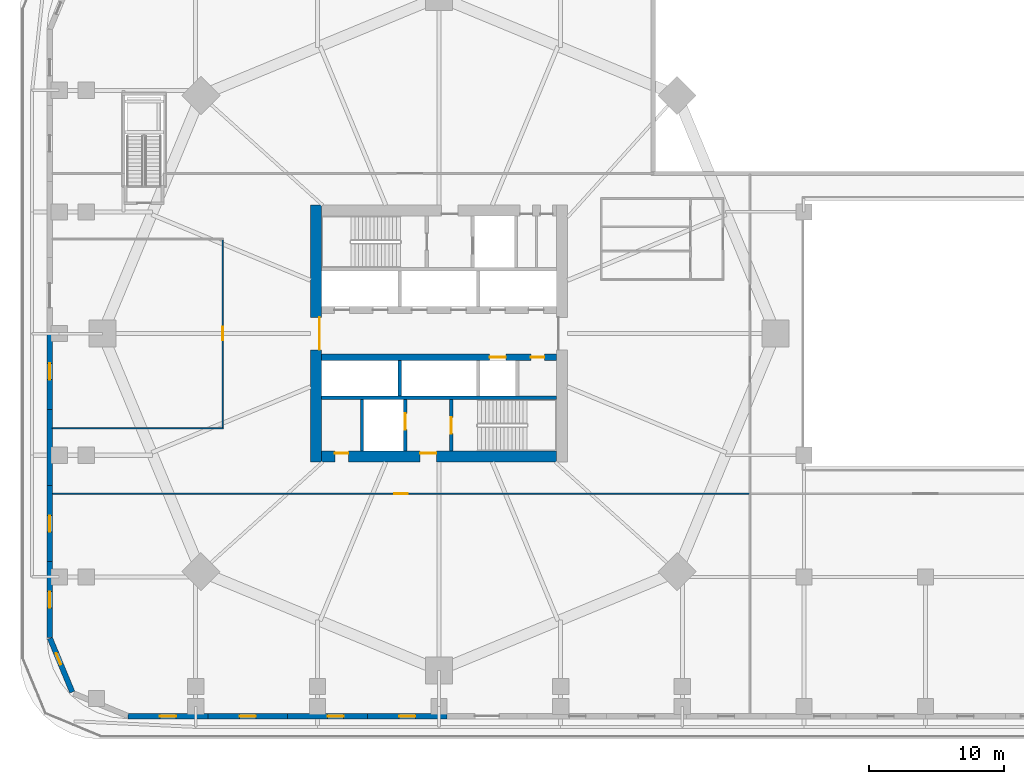
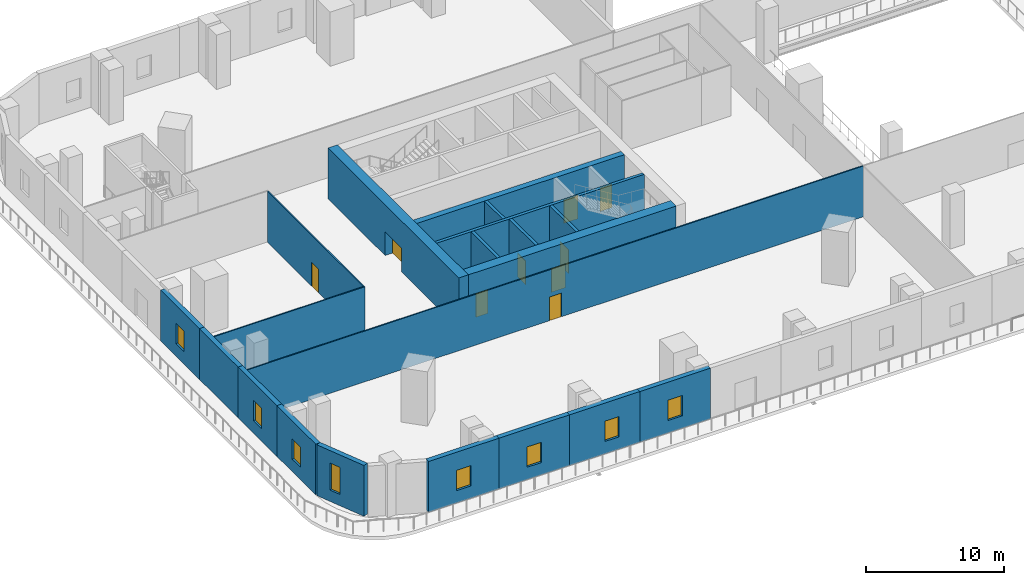
# One storey, part 4 of 17: 20 walls, 9 doors, 8 windows, 17 openings.
"""IFC4 building model written with IfcOpenShell, lengths in metres."""

from ifc_helpers import new_model, si_unit, direction, frame, frame_2d, origin, place, context, subcontext, project, spatial, rectangle, extrude, material, layer, layer_set, type_object, element, fill, save


model = new_model("IFC4")

# Units and contexts
model_context = context("Model", 3, precision=1e-05, world=origin(), true_north=direction((0.0, 1.0)))
body_context = subcontext(model_context, "Body", "Model", "MODEL_VIEW")
ifc_project = project(units=[si_unit("LENGTHUNIT", "METRE"), si_unit("AREAUNIT", "SQUARE_METRE"), si_unit("VOLUMEUNIT", "CUBIC_METRE"), si_unit("PLANEANGLEUNIT", "RADIAN"), si_unit("MASSUNIT", "GRAM", prefix="KILO")], contexts=[model_context])

# Site, building, storey
site_placement = place(None, origin())
site = spatial("IfcSite", under=ifc_project, at=site_placement, CompositionType="ELEMENT")
building_placement = place(site_placement, origin())
building = spatial("IfcBuilding", under=site, at=building_placement, Name="Ogive Gate Towers", CompositionType="ELEMENT")
storey_placement = place(building_placement, frame((0.0, 0.0, 18.0)))
storey = spatial("IfcBuildingStorey", under=building, at=storey_placement, Name="L03", CompositionType="ELEMENT", Elevation=18.0)

# Wall, openings, doors
ifc_material_1 = material(Name="Concrete C60/75", Category="concrete")
ifc_layer_1 = layer(ifc_material_1, 0.800048828125)
ifc_layer_set_1 = layer_set([ifc_layer_1], Name="Core wall 800 mm")
wall_type_1 = type_object("IfcWallType", Name="Core wall 800 mm", PredefinedType="SHEAR", material=ifc_layer_set_1)
wall_1_placement = place(storey_placement, frame((-44.699951171875, -9.10009765625, 0.0), z_axis=(0.0, 0.0, 1.0), x_axis=(1.0, 0.0, 0.0)))
wall_1 = element("IfcWall", 1, at=wall_1_placement, inside=storey, type_object=wall_type_1, Name="T1 L03 Core wall 800 mm", PredefinedType="SHEAR", context=body_context, shape_type="SweptSolid", body=[
    extrude(rectangle(XDim=17.39990234375, YDim=0.800048828125, at=frame_2d((8.699951171875, 0.0))), origin(), (0.0, 0.0, 1.0), 4.5),
])
opening_1_placement = place(wall_1_placement, frame((7.300048828125, 0.0, 0.0)))
opening_1 = element("IfcOpeningElement", 2, at=opening_1_placement, cuts=wall_1, Name="Opening KD-T1-L03-16", PredefinedType="OPENING", context=body_context, shape_type="SweptSolid", body=[
    extrude(rectangle(XDim=1.199951171875, YDim=2.10009765625, at=frame_2d((0.60009765625, 1.050048828125))), frame((0.0, 0.41015625, 0.0), z_axis=(0.0, -1.0, 0.0), x_axis=(1.0, 0.0, 0.0)), (0.0, 0.0, 1.0), 0.820068359375),
])
opening_2_placement = place(wall_1_placement, frame((1.0, 0.0, 0.0)))
opening_2 = element("IfcOpeningElement", 3, at=opening_2_placement, cuts=wall_1, Name="Opening KD-T1-L03-19", PredefinedType="OPENING", context=body_context, shape_type="SweptSolid", body=[
    extrude(rectangle(XDim=1.0, YDim=2.10009765625, at=frame_2d((0.5, 1.050048828125))), frame((0.0, 0.41015625, 0.0), z_axis=(0.0, -1.0, 0.0), x_axis=(1.0, 0.0, 0.0)), (0.0, 0.0, 1.0), 0.820068359375),
])
ifc_material_2 = material(Name="Timber door", Category="wood")
door_type_1 = type_object("IfcDoorType", Name="Accessible WC door 1000 x 2100", OperationType="NOTDEFINED", PredefinedType="DOOR", material=ifc_material_2)
door_1_placement = place(opening_2_placement, origin())
door_1 = element("IfcDoor", 4, at=door_1_placement, inside=storey, type_object=door_type_1, Name="T1 L03 Core door", OperationType="SINGLE_SWING_RIGHT", OverallHeight=2.10009765625, OverallWidth=1.0, PredefinedType="DOOR", context=body_context, shape_type="SweptSolid", body=[
    extrude(rectangle(XDim=1.0, YDim=2.10009765625, at=frame_2d((0.5, 1.050048828125))), frame((0.0, 0.27490234375, 0.0), z_axis=(0.0, -1.0, 0.0), x_axis=(1.0, 0.0, 0.0)), (0.0, 0.0, 1.0), 0.050048828125),
])
fill(opening_2, door_1)
ifc_material_3 = material(Name="Steel fire door", Category="steel")
door_type_2 = type_object("IfcDoorType", Name="Core door FD60S 1200 x 2100", OperationType="NOTDEFINED", PredefinedType="DOOR", material=ifc_material_3)
door_2_placement = place(opening_1_placement, origin())
door_2 = element("IfcDoor", 5, at=door_2_placement, inside=storey, type_object=door_type_2, Name="T1 L03 Fire-fighting lobby door", OperationType="SINGLE_SWING_LEFT", OverallHeight=2.10009765625, OverallWidth=1.199951171875, PredefinedType="DOOR", context=body_context, shape_type="SweptSolid", body=[
    extrude(rectangle(XDim=1.199951171875, YDim=2.10009765625, at=frame_2d((0.60009765625, 1.050048828125))), frame((0.0, 0.27490234375, 0.0), z_axis=(0.0, -1.0, 0.0), x_axis=(1.0, 0.0, 0.0)), (0.0, 0.0, 1.0), 0.050048828125),
])
fill(opening_1, door_2)

# Wall, opening, door
wall_2_placement = place(storey_placement, frame((-45.10009765625, -9.5, 0.0), z_axis=(0.0, 0.0, 1.0), x_axis=(0.0, 1.0, 0.0)))
wall_2 = element("IfcWall", 6, at=wall_2_placement, inside=storey, type_object=wall_type_1, Name="T1 L03 Core wall 800 mm", PredefinedType="SHEAR", context=body_context, shape_type="SweptSolid", body=[
    extrude(rectangle(XDim=19.0, YDim=0.800048828125, at=frame_2d((9.5, 0.0))), origin(), (0.0, 0.0, 1.0), 4.5),
])
opening_3_placement = place(wall_2_placement, frame((8.300048828125, 0.0, 0.0)))
opening_3 = element("IfcOpeningElement", 7, at=opening_3_placement, cuts=wall_2, Name="Opening KD-T1-L03-01", PredefinedType="OPENING", context=body_context, shape_type="SweptSolid", body=[
    extrude(rectangle(XDim=2.39990234375, YDim=2.10009765625, at=frame_2d((1.199951171875, 1.050048828125))), frame((0.0, 0.41015625, 0.0), z_axis=(0.0, -1.0, 0.0), x_axis=(1.0, 0.0, 0.0)), (0.0, 0.0, 1.0), 0.820068359375),
])
door_type_3 = type_object("IfcDoorType", Name="Core double door FD60S 2400 x 2100", OperationType="DOUBLE_DOOR_SINGLE_SWING", PredefinedType="DOOR", material=ifc_material_3)
door_3_placement = place(opening_3_placement, origin())
door_3 = element("IfcDoor", 8, at=door_3_placement, inside=storey, type_object=door_type_3, Name="T1 L03 Core door double", OperationType="DOUBLE_DOOR_SINGLE_SWING", OverallHeight=2.10009765625, OverallWidth=2.39990234375, PredefinedType="DOOR", context=body_context, shape_type="SweptSolid", body=[
    extrude(rectangle(XDim=2.39990234375, YDim=2.10009765625, at=frame_2d((1.199951171875, 1.050048828125))), frame((0.0, -0.22509765625, 0.0), z_axis=(0.0, -1.0, 0.0), x_axis=(1.0, 0.0, 0.0)), (0.0, 0.0, 1.0), 0.050048828125),
])
fill(opening_3, door_3)

ifc_material_4 = material(Name="Gypsum board partition")
ifc_layer_2 = layer(ifc_material_4, 0.10009765625)
ifc_layer_set_2 = layer_set([ifc_layer_2], Name="Partition wall 100")
wall_type_2 = type_object("IfcWallType", Name="Partition wall 100", PredefinedType="PARTITIONING", material=ifc_layer_set_2)
wall_3_placement = place(storey_placement, frame((-64.60009765625, -11.85009765625, 0.0), z_axis=(0.0, 0.0, 1.0), x_axis=(1.0, 0.0, 0.0)))
wall_3 = element("IfcWall", 9, at=wall_3_placement, inside=storey, type_object=wall_type_2, Name="L03 partition 027", PredefinedType="PARTITIONING", context=body_context, shape_type="SweptSolid", body=[
    extrude(rectangle(XDim=51.60009765625, YDim=0.10009765625, at=frame_2d((25.800048828125, 0.0))), origin(), (0.0, 0.0, 1.0), 4.5),
])
opening_4_placement = place(wall_3_placement, frame((25.300048828125, 0.0, 0.0)))
opening_4 = element("IfcOpeningElement", 10, at=opening_4_placement, cuts=wall_3, Name="Opening PO185", PredefinedType="OPENING", context=body_context, shape_type="SweptSolid", body=[
    extrude(rectangle(XDim=1.0, YDim=2.10009765625, at=frame_2d((0.5, 1.050048828125))), frame((0.0, 0.06005859375, 0.0), z_axis=(0.0, -1.0, 0.0), x_axis=(1.0, 0.0, 0.0)), (0.0, 0.0, 1.0), 0.1201171875),
])
door_type_4 = type_object("IfcDoorType", Name="Door 1000 x 2100", OperationType="NOTDEFINED", PredefinedType="DOOR", material=ifc_material_2)
door_4_placement = place(opening_4_placement, origin())
door_4 = element("IfcDoor", 11, at=door_4_placement, inside=storey, type_object=door_type_4, Name="Door PO185", OperationType="SINGLE_SWING_LEFT", OverallHeight=2.10009765625, OverallWidth=1.0, PredefinedType="DOOR", context=body_context, shape_type="SweptSolid", body=[
    extrude(rectangle(XDim=1.0, YDim=2.10009765625, at=frame_2d((0.5, 1.050048828125))), frame((0.0, 0.02490234375, 0.0), z_axis=(0.0, -1.0, 0.0), x_axis=(1.0, 0.0, 0.0)), (0.0, 0.0, 1.0), 0.050048828125),
])
fill(opening_4, door_4)

# Wall
wall_4_placement = place(storey_placement, frame((-64.60009765625, -7.0, 0.0), z_axis=(0.0, 0.0, 1.0), x_axis=(1.0, 0.0, 0.0)))
element("IfcWall", 12, at=wall_4_placement, inside=storey, type_object=wall_type_2, Name="L03 partition 033", PredefinedType="PARTITIONING", context=body_context, shape_type="SweptSolid", body=[
    extrude(rectangle(XDim=12.650146484375, YDim=0.10009765625, at=frame_2d((6.3251953125, 0.0))), origin(), (0.0, 0.0, 1.0), 4.5),
])

# Wall, opening, door
wall_5_placement = place(storey_placement, frame((-52.0, -6.949951171875, 0.0), z_axis=(0.0, 0.0, 1.0), x_axis=(0.0, 1.0, 0.0)))
wall_5 = element("IfcWall", 13, at=wall_5_placement, inside=storey, type_object=wall_type_2, Name="L03 partition 035", PredefinedType="PARTITIONING", context=body_context, shape_type="SweptSolid", body=[
    extrude(rectangle(XDim=13.89990234375, YDim=0.10009765625, at=frame_2d((6.949951171875, 0.0))), origin(), (0.0, 0.0, 1.0), 4.5),
])
opening_5_placement = place(wall_5_placement, frame((6.449951171875, 0.0, 0.0)))
opening_5 = element("IfcOpeningElement", 14, at=opening_5_placement, cuts=wall_5, Name="Opening PO187", PredefinedType="OPENING", context=body_context, shape_type="SweptSolid", body=[
    extrude(rectangle(XDim=1.0, YDim=2.10009765625, at=frame_2d((0.5, 1.050048828125))), frame((0.0, 0.06005859375, 0.0), z_axis=(0.0, -1.0, 0.0), x_axis=(1.0, 0.0, 0.0)), (0.0, 0.0, 1.0), 0.1201171875),
])
door_5_placement = place(opening_5_placement, origin())
door_5 = element("IfcDoor", 15, at=door_5_placement, inside=storey, type_object=door_type_4, Name="Door PO187", OperationType="SINGLE_SWING_LEFT", OverallHeight=2.10009765625, OverallWidth=1.0, PredefinedType="DOOR", context=body_context, shape_type="SweptSolid", body=[
    extrude(rectangle(XDim=1.0, YDim=2.10009765625, at=frame_2d((0.5, 1.050048828125))), frame((0.0, 0.02490234375, 0.0), z_axis=(0.0, -1.0, 0.0), x_axis=(1.0, 0.0, 0.0)), (0.0, 0.0, 1.0), 0.050048828125),
])
fill(opening_5, door_5)

# Wall, opening, window
ifc_material_5 = material(Name="Precast concrete C40/50", Category="concrete")
ifc_layer_3 = layer(ifc_material_5, 0.39990234375)
ifc_layer_set_3 = layer_set([ifc_layer_3], Name="Podium wall 400")
wall_type_3 = type_object("IfcWallType", Name="Podium wall 400", PredefinedType="SOLIDWALL", material=ifc_layer_set_3)
wall_6_placement = place(storey_placement, frame((-64.800048828125, 0.0, 0.0), z_axis=(0.0, 0.0, 1.0), x_axis=(0.0, -1.0, 0.0)))
wall_6 = element("IfcWall", 16, at=wall_6_placement, inside=storey, type_object=wall_type_3, Name="Podium wall", PredefinedType="SOLIDWALL", context=body_context, shape_type="SweptSolid", body=[
    extrude(rectangle(XDim=5.625, YDim=0.39990234375, at=frame_2d((2.8125, 0.0))), origin(), (0.0, 0.0, 1.0), 4.5),
])
opening_6_placement = place(wall_6_placement, frame((2.21240234375, 0.0, 1.10009765625)))
opening_6 = element("IfcOpeningElement", 17, at=opening_6_placement, cuts=wall_6, Name="Opening WN3", PredefinedType="OPENING", context=body_context, shape_type="SweptSolid", body=[
    extrude(rectangle(XDim=1.199951171875, YDim=1.800048828125, at=frame_2d((0.60009765625, 0.89990234375))), frame((0.0, 0.2099609375, 0.0), z_axis=(0.0, -1.0, 0.0), x_axis=(1.0, 0.0, 0.0)), (0.0, 0.0, 1.0), 0.419921875),
])
ifc_material_6 = material(Name="Clear glass", Category="glass")
window_type_1 = type_object("IfcWindowType", Name="Podium window 1200 x 1800", PartitioningType="SINGLE_PANEL", PredefinedType="WINDOW", material=ifc_material_6)
window_1_placement = place(opening_6_placement, origin())
window_1 = element("IfcWindow", 18, at=window_1_placement, inside=storey, type_object=window_type_1, Name="Podium window", OverallHeight=1.800048828125, OverallWidth=1.199951171875, PartitioningType="SINGLE_PANEL", PredefinedType="WINDOW", context=body_context, shape_type="SweptSolid", body=[
    extrude(rectangle(XDim=1.199951171875, YDim=1.800048828125, at=frame_2d((0.60009765625, 0.89990234375))), frame((0.0, 0.030029296875, 0.0), z_axis=(0.0, -1.0, 0.0), x_axis=(1.0, 0.0, 0.0)), (0.0, 0.0, 1.0), 0.06005859375),
])
fill(opening_6, window_1)

# Wall
wall_7_placement = place(storey_placement, frame((-64.800048828125, -5.625, 0.0), z_axis=(0.0, 0.0, 1.0), x_axis=(0.0, -1.0, 0.0)))
element("IfcWall", 19, at=wall_7_placement, inside=storey, type_object=wall_type_3, Name="Podium wall", PredefinedType="SOLIDWALL", context=body_context, shape_type="SweptSolid", body=[
    extrude(rectangle(XDim=5.625, YDim=0.39990234375, at=frame_2d((2.8125, 0.0))), origin(), (0.0, 0.0, 1.0), 4.5),
])

# Wall, opening, window
wall_8_placement = place(storey_placement, frame((-64.800048828125, -11.25, 0.0), z_axis=(0.0, 0.0, 1.0), x_axis=(0.0, -1.0, 0.0)))
wall_8 = element("IfcWall", 20, at=wall_8_placement, inside=storey, type_object=wall_type_3, Name="Podium wall", PredefinedType="SOLIDWALL", context=body_context, shape_type="SweptSolid", body=[
    extrude(rectangle(XDim=5.625, YDim=0.39990234375, at=frame_2d((2.8125, 0.0))), origin(), (0.0, 0.0, 1.0), 4.5),
])
opening_7_placement = place(wall_8_placement, frame((2.21240234375, 0.0, 1.10009765625)))
opening_7 = element("IfcOpeningElement", 21, at=opening_7_placement, cuts=wall_8, Name="Opening WN3", PredefinedType="OPENING", context=body_context, shape_type="SweptSolid", body=[
    extrude(rectangle(XDim=1.199951171875, YDim=1.800048828125, at=frame_2d((0.60009765625, 0.89990234375))), frame((0.0, 0.2099609375, 0.0), z_axis=(0.0, -1.0, 0.0), x_axis=(1.0, 0.0, 0.0)), (0.0, 0.0, 1.0), 0.419921875),
])
window_2_placement = place(opening_7_placement, origin())
window_2 = element("IfcWindow", 22, at=window_2_placement, inside=storey, type_object=window_type_1, Name="Podium window", OverallHeight=1.800048828125, OverallWidth=1.199951171875, PartitioningType="SINGLE_PANEL", PredefinedType="WINDOW", context=body_context, shape_type="SweptSolid", body=[
    extrude(rectangle(XDim=1.199951171875, YDim=1.800048828125, at=frame_2d((0.60009765625, 0.89990234375))), frame((0.0, 0.030029296875, 0.0), z_axis=(0.0, -1.0, 0.0), x_axis=(1.0, 0.0, 0.0)), (0.0, 0.0, 1.0), 0.06005859375),
])
fill(opening_7, window_2)

wall_9_placement = place(storey_placement, frame((-64.800048828125, -16.875, 0.0), z_axis=(0.0, 0.0, 1.0), x_axis=(0.0, -1.0, 0.0)))
wall_9 = element("IfcWall", 23, at=wall_9_placement, inside=storey, type_object=wall_type_3, Name="Podium wall", PredefinedType="SOLIDWALL", context=body_context, shape_type="SweptSolid", body=[
    extrude(rectangle(XDim=5.625, YDim=0.39990234375, at=frame_2d((2.8125, 0.0))), origin(), (0.0, 0.0, 1.0), 4.5),
])
opening_8_placement = place(wall_9_placement, frame((2.21240234375, 0.0, 1.10009765625)))
opening_8 = element("IfcOpeningElement", 24, at=opening_8_placement, cuts=wall_9, Name="Opening WN3", PredefinedType="OPENING", context=body_context, shape_type="SweptSolid", body=[
    extrude(rectangle(XDim=1.199951171875, YDim=1.800048828125, at=frame_2d((0.60009765625, 0.89990234375))), frame((0.0, 0.2099609375, 0.0), z_axis=(0.0, -1.0, 0.0), x_axis=(1.0, 0.0, 0.0)), (0.0, 0.0, 1.0), 0.419921875),
])
window_3_placement = place(opening_8_placement, origin())
window_3 = element("IfcWindow", 25, at=window_3_placement, inside=storey, type_object=window_type_1, Name="Podium window", OverallHeight=1.800048828125, OverallWidth=1.199951171875, PartitioningType="SINGLE_PANEL", PredefinedType="WINDOW", context=body_context, shape_type="SweptSolid", body=[
    extrude(rectangle(XDim=1.199951171875, YDim=1.800048828125, at=frame_2d((0.60009765625, 0.89990234375))), frame((0.0, 0.030029296875, 0.0), z_axis=(0.0, -1.0, 0.0), x_axis=(1.0, 0.0, 0.0)), (0.0, 0.0, 1.0), 0.06005859375),
])
fill(opening_8, window_3)

wall_10_placement = place(storey_placement, frame((-64.784912109375, -22.536865234375, 0.0), z_axis=(0.0, 0.0, 1.0), x_axis=(0.382743086333, -0.923854820772, 0.0)))
wall_10 = element("IfcWall", 26, at=wall_10_placement, inside=storey, type_object=wall_type_3, Name="Podium wall", PredefinedType="SOLIDWALL", context=body_context, shape_type="SweptSolid", body=[
    extrude(rectangle(XDim=4.31640625, YDim=0.39990234375, at=frame_2d((2.158203125, 0.0))), origin(), (0.0, 0.0, 1.0), 4.5),
])
opening_9_placement = place(wall_10_placement, frame((1.208251953125, 0.0, 1.0)))
opening_9 = element("IfcOpeningElement", 27, at=opening_9_placement, cuts=wall_10, Name="Opening WN5", PredefinedType="OPENING", context=body_context, shape_type="SweptSolid", body=[
    extrude(rectangle(XDim=0.89990234375, YDim=2.39990234375, at=frame_2d((0.449951171875, 1.199951171875))), frame((0.0, 0.2099609375, 0.0), z_axis=(0.0, -1.0, 0.0), x_axis=(1.0, 0.0, 0.0)), (0.0, 0.0, 1.0), 0.419921875),
])
window_type_2 = type_object("IfcWindowType", Name="Narrow window 900 x 2400", PartitioningType="SINGLE_PANEL", PredefinedType="WINDOW", material=ifc_material_6)
window_4_placement = place(opening_9_placement, origin())
window_4 = element("IfcWindow", 28, at=window_4_placement, inside=storey, type_object=window_type_2, Name="Podium window", OverallHeight=2.39990234375, OverallWidth=0.89990234375, PartitioningType="SINGLE_PANEL", PredefinedType="WINDOW", context=body_context, shape_type="SweptSolid", body=[
    extrude(rectangle(XDim=0.89990234375, YDim=2.39990234375, at=frame_2d((0.449951171875, 1.199951171875))), frame((0.0, 0.030029296875, 0.0), z_axis=(0.0, -1.0, 0.0), x_axis=(1.0, 0.0, 0.0)), (0.0, 0.0, 1.0), 0.06005859375),
])
fill(opening_9, window_4)

wall_11_placement = place(storey_placement, frame((-59.0, -28.300048828125, 0.0), z_axis=(0.0, 0.0, 1.0), x_axis=(1.0, 0.0, 0.0)))
wall_11 = element("IfcWall", 29, at=wall_11_placement, inside=storey, type_object=wall_type_3, Name="Podium wall", PredefinedType="SOLIDWALL", context=body_context, shape_type="SweptSolid", body=[
    extrude(rectangle(XDim=5.89990234375, YDim=0.39990234375, at=frame_2d((2.949951171875, 0.0))), origin(), (0.0, 0.0, 1.0), 4.5),
])
opening_10_placement = place(wall_11_placement, frame((2.35009765625, 0.0, 1.10009765625)))
opening_10 = element("IfcOpeningElement", 30, at=opening_10_placement, cuts=wall_11, Name="Opening WN3", PredefinedType="OPENING", context=body_context, shape_type="SweptSolid", body=[
    extrude(rectangle(XDim=1.199951171875, YDim=1.800048828125, at=frame_2d((0.60009765625, 0.89990234375))), frame((0.0, 0.2099609375, 0.0), z_axis=(0.0, -1.0, 0.0), x_axis=(1.0, 0.0, 0.0)), (0.0, 0.0, 1.0), 0.419921875),
])
window_5_placement = place(opening_10_placement, origin())
window_5 = element("IfcWindow", 31, at=window_5_placement, inside=storey, type_object=window_type_1, Name="Podium window", OverallHeight=1.800048828125, OverallWidth=1.199951171875, PartitioningType="SINGLE_PANEL", PredefinedType="WINDOW", context=body_context, shape_type="SweptSolid", body=[
    extrude(rectangle(XDim=1.199951171875, YDim=1.800048828125, at=frame_2d((0.60009765625, 0.89990234375))), frame((0.0, 0.030029296875, 0.0), z_axis=(0.0, -1.0, 0.0), x_axis=(1.0, 0.0, 0.0)), (0.0, 0.0, 1.0), 0.06005859375),
])
fill(opening_10, window_5)

wall_12_placement = place(storey_placement, frame((-53.10009765625, -28.300048828125, 0.0), z_axis=(0.0, 0.0, 1.0), x_axis=(1.0, 0.0, 0.0)))
wall_12 = element("IfcWall", 32, at=wall_12_placement, inside=storey, type_object=wall_type_3, Name="Podium wall", PredefinedType="SOLIDWALL", context=body_context, shape_type="SweptSolid", body=[
    extrude(rectangle(XDim=5.900146484375, YDim=0.39990234375, at=frame_2d((2.9501953125, 0.0))), origin(), (0.0, 0.0, 1.0), 4.5),
])
opening_11_placement = place(wall_12_placement, frame((2.35009765625, 0.0, 1.10009765625)))
opening_11 = element("IfcOpeningElement", 33, at=opening_11_placement, cuts=wall_12, Name="Opening WN3", PredefinedType="OPENING", context=body_context, shape_type="SweptSolid", body=[
    extrude(rectangle(XDim=1.199951171875, YDim=1.800048828125, at=frame_2d((0.60009765625, 0.89990234375))), frame((0.0, 0.2099609375, 0.0), z_axis=(0.0, -1.0, 0.0), x_axis=(1.0, 0.0, 0.0)), (0.0, 0.0, 1.0), 0.419921875),
])
window_6_placement = place(opening_11_placement, origin())
window_6 = element("IfcWindow", 34, at=window_6_placement, inside=storey, type_object=window_type_1, Name="Podium window", OverallHeight=1.800048828125, OverallWidth=1.199951171875, PartitioningType="SINGLE_PANEL", PredefinedType="WINDOW", context=body_context, shape_type="SweptSolid", body=[
    extrude(rectangle(XDim=1.199951171875, YDim=1.800048828125, at=frame_2d((0.60009765625, 0.89990234375))), frame((0.0, 0.030029296875, 0.0), z_axis=(0.0, -1.0, 0.0), x_axis=(1.0, 0.0, 0.0)), (0.0, 0.0, 1.0), 0.06005859375),
])
fill(opening_11, window_6)

wall_13_placement = place(storey_placement, frame((-47.199951171875, -28.300048828125, 0.0), z_axis=(0.0, 0.0, 1.0), x_axis=(1.0, 0.0, 0.0)))
wall_13 = element("IfcWall", 35, at=wall_13_placement, inside=storey, type_object=wall_type_3, Name="Podium wall", PredefinedType="SOLIDWALL", context=body_context, shape_type="SweptSolid", body=[
    extrude(rectangle(XDim=5.89990234375, YDim=0.39990234375, at=frame_2d((2.949951171875, 0.0))), origin(), (0.0, 0.0, 1.0), 4.5),
])
opening_12_placement = place(wall_13_placement, frame((2.949951171875, 0.0, 1.10009765625)))
opening_12 = element("IfcOpeningElement", 36, at=opening_12_placement, cuts=wall_13, Name="Opening WN3", PredefinedType="OPENING", context=body_context, shape_type="SweptSolid", body=[
    extrude(rectangle(XDim=1.199951171875, YDim=1.800048828125, at=frame_2d((0.60009765625, 0.89990234375))), frame((0.0, 0.2099609375, 0.0), z_axis=(0.0, -1.0, 0.0), x_axis=(1.0, 0.0, 0.0)), (0.0, 0.0, 1.0), 0.419921875),
])
window_7_placement = place(opening_12_placement, origin())
window_7 = element("IfcWindow", 37, at=window_7_placement, inside=storey, type_object=window_type_1, Name="Podium window", OverallHeight=1.800048828125, OverallWidth=1.199951171875, PartitioningType="SINGLE_PANEL", PredefinedType="WINDOW", context=body_context, shape_type="SweptSolid", body=[
    extrude(rectangle(XDim=1.199951171875, YDim=1.800048828125, at=frame_2d((0.60009765625, 0.89990234375))), frame((0.0, 0.030029296875, 0.0), z_axis=(0.0, -1.0, 0.0), x_axis=(1.0, 0.0, 0.0)), (0.0, 0.0, 1.0), 0.06005859375),
])
fill(opening_12, window_7)

wall_14_placement = place(storey_placement, frame((-41.300048828125, -28.300048828125, 0.0), z_axis=(0.0, 0.0, 1.0), x_axis=(1.0, 0.0, 0.0)))
wall_14 = element("IfcWall", 38, at=wall_14_placement, inside=storey, type_object=wall_type_3, Name="Podium wall", PredefinedType="SOLIDWALL", context=body_context, shape_type="SweptSolid", body=[
    extrude(rectangle(XDim=5.900146484375, YDim=0.39990234375, at=frame_2d((2.9501953125, 0.0))), origin(), (0.0, 0.0, 1.0), 4.5),
])
opening_13_placement = place(wall_14_placement, frame((2.35009765625, 0.0, 1.10009765625)))
opening_13 = element("IfcOpeningElement", 39, at=opening_13_placement, cuts=wall_14, Name="Opening WN3", PredefinedType="OPENING", context=body_context, shape_type="SweptSolid", body=[
    extrude(rectangle(XDim=1.199951171875, YDim=1.800048828125, at=frame_2d((0.60009765625, 0.89990234375))), frame((0.0, 0.2099609375, 0.0), z_axis=(0.0, -1.0, 0.0), x_axis=(1.0, 0.0, 0.0)), (0.0, 0.0, 1.0), 0.419921875),
])
window_8_placement = place(opening_13_placement, origin())
window_8 = element("IfcWindow", 40, at=window_8_placement, inside=storey, type_object=window_type_1, Name="Podium window", OverallHeight=1.800048828125, OverallWidth=1.199951171875, PartitioningType="SINGLE_PANEL", PredefinedType="WINDOW", context=body_context, shape_type="SweptSolid", body=[
    extrude(rectangle(XDim=1.199951171875, YDim=1.800048828125, at=frame_2d((0.60009765625, 0.89990234375))), frame((0.0, 0.030029296875, 0.0), z_axis=(0.0, -1.0, 0.0), x_axis=(1.0, 0.0, 0.0)), (0.0, 0.0, 1.0), 0.06005859375),
])
fill(opening_13, window_8)

# Walls
ifc_layer_4 = layer(ifc_material_1, 0.25)
ifc_layer_set_4 = layer_set([ifc_layer_4], Name="Shaft wall 250 mm")
wall_type_4 = type_object("IfcWallType", Name="Shaft wall 250 mm", PredefinedType="SHEAR", material=ifc_layer_set_4)
wall_15_placement = place(storey_placement, frame((-44.699951171875, -4.75, 0.0), z_axis=(0.0, 0.0, 1.0), x_axis=(1.0, 0.0, 0.0)))
element("IfcWall", 41, at=wall_15_placement, inside=storey, type_object=wall_type_4, Name="T1 L03 Shaft wall 250 mm", PredefinedType="SHEAR", context=body_context, shape_type="SweptSolid", body=[
    extrude(rectangle(XDim=17.39990234375, YDim=0.25, at=frame_2d((8.699951171875, 0.0))), origin(), (0.0, 0.0, 1.0), 4.5),
])
wall_16_placement = place(storey_placement, frame((-41.699951171875, -8.699951171875, 0.0), z_axis=(0.0, 0.0, 1.0), x_axis=(0.0, 1.0, 0.0)))
element("IfcWall", 42, at=wall_16_placement, inside=storey, type_object=wall_type_4, Name="T1 L03 Shaft wall 250 mm", PredefinedType="SHEAR", context=body_context, shape_type="SweptSolid", body=[
    extrude(rectangle(XDim=3.824951171875, YDim=0.25, at=frame_2d((1.91259765625, 0.0))), origin(), (0.0, 0.0, 1.0), 4.5),
])
wall_17_placement = place(storey_placement, frame((-38.89990234375, -4.625, 0.0), z_axis=(0.0, 0.0, 1.0), x_axis=(0.0, 1.0, 0.0)))
element("IfcWall", 43, at=wall_17_placement, inside=storey, type_object=wall_type_4, Name="T1 L03 Shaft wall 250 mm", PredefinedType="SHEAR", context=body_context, shape_type="SweptSolid", body=[
    extrude(rectangle(XDim=2.625, YDim=0.25, at=frame_2d((1.3125, 0.0))), origin(), (0.0, 0.0, 1.0), 4.5),
])

# Wall, opening, door
wall_18_placement = place(storey_placement, frame((-38.5, -8.699951171875, 0.0), z_axis=(0.0, 0.0, 1.0), x_axis=(0.0, 1.0, 0.0)))
wall_18 = element("IfcWall", 44, at=wall_18_placement, inside=storey, type_object=wall_type_4, Name="T1 L03 Shaft wall 250 mm", PredefinedType="SHEAR", context=body_context, shape_type="SweptSolid", body=[
    extrude(rectangle(XDim=3.824951171875, YDim=0.25, at=frame_2d((1.91259765625, 0.0))), origin(), (0.0, 0.0, 1.0), 4.5),
])
opening_14_placement = place(wall_18_placement, frame((1.60009765625, 0.0, 0.0)))
opening_14 = element("IfcOpeningElement", 45, at=opening_14_placement, cuts=wall_18, Name="Opening LD-T1-L03-11", PredefinedType="OPENING", context=body_context, shape_type="SweptSolid", body=[
    extrude(rectangle(XDim=1.199951171875, YDim=2.10009765625, at=frame_2d((0.60009765625, 1.050048828125))), frame((0.0, 0.135009765625, 0.0), z_axis=(0.0, -1.0, 0.0), x_axis=(1.0, 0.0, 0.0)), (0.0, 0.0, 1.0), 0.27001953125),
])
ifc_material_7 = material(Name="Stainless steel landing door", Category="steel")
door_type_5 = type_object("IfcDoorType", Name="Landing door 1200 x 2100", OperationType="SLIDING_TO_LEFT", PredefinedType="DOOR", material=ifc_material_7)
door_6_placement = place(opening_14_placement, origin())
door_6 = element("IfcDoor", 46, at=door_6_placement, inside=storey, type_object=door_type_5, Name="T1 L03 Lift landing door FF2", OperationType="SLIDING_TO_LEFT", OverallHeight=2.10009765625, OverallWidth=1.199951171875, PredefinedType="DOOR", context=body_context, shape_type="SweptSolid", body=[
    extrude(rectangle(XDim=1.199951171875, YDim=2.10009765625, at=frame_2d((0.60009765625, 1.050048828125))), frame((0.0, 0.02490234375, 0.0), z_axis=(0.0, -1.0, 0.0), x_axis=(1.0, 0.0, 0.0)), (0.0, 0.0, 1.0), 0.050048828125),
])
fill(opening_14, door_6)

wall_19_placement = place(storey_placement, frame((-35.10009765625, -8.699951171875, 0.0), z_axis=(0.0, 0.0, 1.0), x_axis=(0.0, 1.0, 0.0)))
wall_19 = element("IfcWall", 47, at=wall_19_placement, inside=storey, type_object=wall_type_4, Name="T1 L03 Shaft wall 250 mm", PredefinedType="SHEAR", context=body_context, shape_type="SweptSolid", body=[
    extrude(rectangle(XDim=3.824951171875, YDim=0.25, at=frame_2d((1.91259765625, 0.0))), origin(), (0.0, 0.0, 1.0), 4.5),
])
opening_15_placement = place(wall_19_placement, frame((1.300048828125, 0.0, 0.0)))
opening_15 = element("IfcOpeningElement", 48, at=opening_15_placement, cuts=wall_19, Name="Opening KD-T1-L03-14", PredefinedType="OPENING", context=body_context, shape_type="SweptSolid", body=[
    extrude(rectangle(XDim=1.199951171875, YDim=2.10009765625, at=frame_2d((0.60009765625, 1.050048828125))), frame((0.0, 0.135009765625, 0.0), z_axis=(0.0, -1.0, 0.0), x_axis=(1.0, 0.0, 0.0)), (0.0, 0.0, 1.0), 0.27001953125),
])
door_7_placement = place(opening_15_placement, origin())
door_7 = element("IfcDoor", 49, at=door_7_placement, inside=storey, type_object=door_type_2, Name="T1 L03 Stair door", OperationType="SINGLE_SWING_LEFT", OverallHeight=2.10009765625, OverallWidth=1.199951171875, PredefinedType="DOOR", context=body_context, shape_type="SweptSolid", body=[
    extrude(rectangle(XDim=1.199951171875, YDim=2.10009765625, at=frame_2d((0.60009765625, 1.050048828125))), frame((0.0, 0.02490234375, 0.0), z_axis=(0.0, -1.0, 0.0), x_axis=(1.0, 0.0, 0.0)), (0.0, 0.0, 1.0), 0.050048828125),
])
fill(opening_15, door_7)

# Wall, openings, doors
ifc_layer_5 = layer(ifc_material_1, 0.5)
ifc_layer_set_5 = layer_set([ifc_layer_5], Name="Spine wall 500 mm")
wall_type_5 = type_object("IfcWallType", Name="Spine wall 500 mm", PredefinedType="SHEAR", material=ifc_layer_set_5)
wall_20_placement = place(storey_placement, frame((-44.699951171875, -1.75, 0.0), z_axis=(0.0, 0.0, 1.0), x_axis=(1.0, 0.0, 0.0)))
wall_20 = element("IfcWall", 50, at=wall_20_placement, inside=storey, type_object=wall_type_5, Name="T1 L03 Spine wall 500 mm", PredefinedType="SHEAR", context=body_context, shape_type="SweptSolid", body=[
    extrude(rectangle(XDim=17.39990234375, YDim=0.5, at=frame_2d((8.699951171875, 0.0))), origin(), (0.0, 0.0, 1.0), 4.5),
])
opening_16_placement = place(wall_20_placement, frame((12.449951171875, 0.0, 0.0)))
opening_16 = element("IfcOpeningElement", 51, at=opening_16_placement, cuts=wall_20, Name="Opening LD-T1-L03-09", PredefinedType="OPENING", context=body_context, shape_type="SweptSolid", body=[
    extrude(rectangle(XDim=1.199951171875, YDim=2.10009765625, at=frame_2d((0.60009765625, 1.050048828125))), frame((0.0, 0.260009765625, 0.0), z_axis=(0.0, -1.0, 0.0), x_axis=(1.0, 0.0, 0.0)), (0.0, 0.0, 1.0), 0.52001953125),
])
opening_17_placement = place(wall_20_placement, frame((15.5, 0.0, 0.0)))
opening_17 = element("IfcOpeningElement", 52, at=opening_17_placement, cuts=wall_20, Name="Opening KD-T1-L03-12", PredefinedType="OPENING", context=body_context, shape_type="SweptSolid", body=[
    extrude(rectangle(XDim=1.0, YDim=2.10009765625, at=frame_2d((0.5, 1.050048828125))), frame((0.0, 0.260009765625, 0.0), z_axis=(0.0, -1.0, 0.0), x_axis=(1.0, 0.0, 0.0)), (0.0, 0.0, 1.0), 0.52001953125),
])
door_type_6 = type_object("IfcDoorType", Name="Core door FD60S 1000 x 2100", OperationType="NOTDEFINED", PredefinedType="DOOR", material=ifc_material_3)
door_8_placement = place(opening_17_placement, origin())
door_8 = element("IfcDoor", 53, at=door_8_placement, inside=storey, type_object=door_type_6, Name="T1 L03 Core door", OperationType="SINGLE_SWING_LEFT", OverallHeight=2.10009765625, OverallWidth=1.0, PredefinedType="DOOR", context=body_context, shape_type="SweptSolid", body=[
    extrude(rectangle(XDim=1.0, YDim=2.10009765625, at=frame_2d((0.5, 1.050048828125))), frame((0.0, 0.02490234375, 0.0), z_axis=(0.0, -1.0, 0.0), x_axis=(1.0, 0.0, 0.0)), (0.0, 0.0, 1.0), 0.050048828125),
])
fill(opening_17, door_8)
door_9_placement = place(opening_16_placement, origin())
door_9 = element("IfcDoor", 54, at=door_9_placement, inside=storey, type_object=door_type_5, Name="T1 L03 Lift landing door SVC", OperationType="SLIDING_TO_LEFT", OverallHeight=2.10009765625, OverallWidth=1.199951171875, PredefinedType="DOOR", context=body_context, shape_type="SweptSolid", body=[
    extrude(rectangle(XDim=1.199951171875, YDim=2.10009765625, at=frame_2d((0.60009765625, 1.050048828125))), frame((0.0, 0.02490234375, 0.0), z_axis=(0.0, -1.0, 0.0), x_axis=(1.0, 0.0, 0.0)), (0.0, 0.0, 1.0), 0.050048828125),
])
fill(opening_16, door_9)

save(model, "model.ifc")
